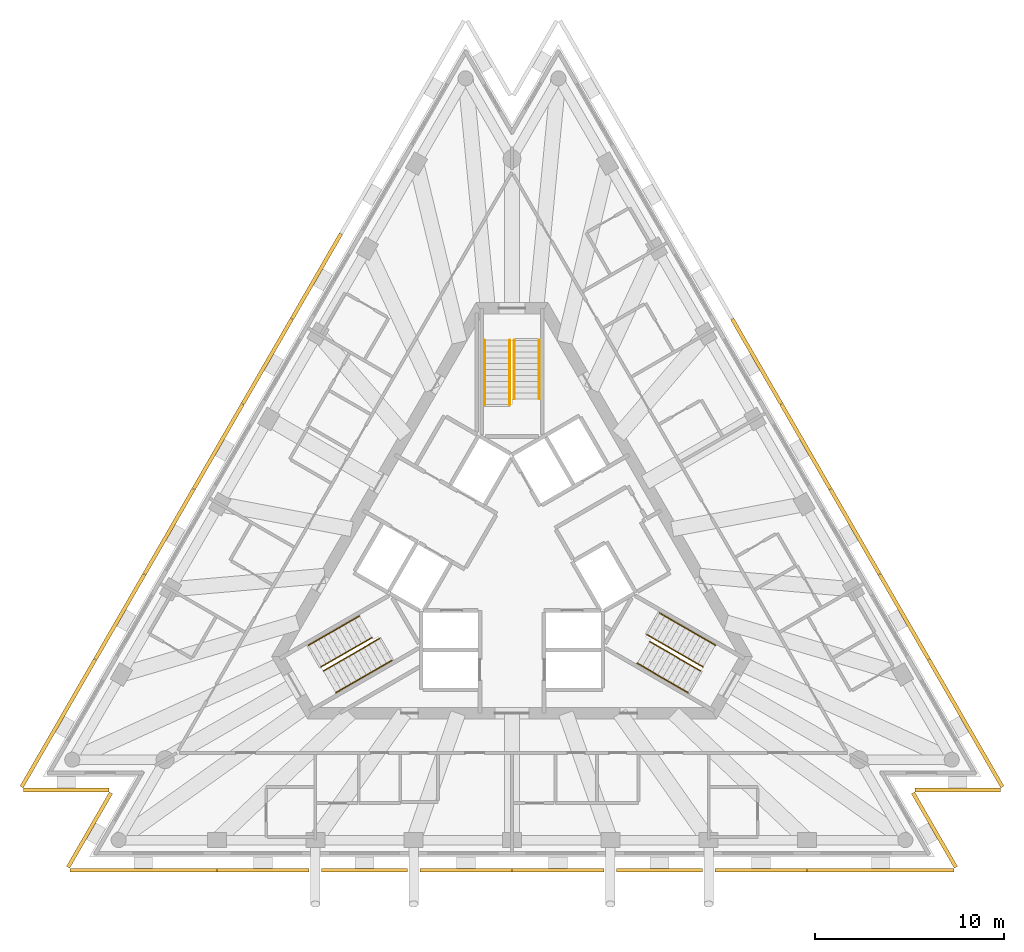
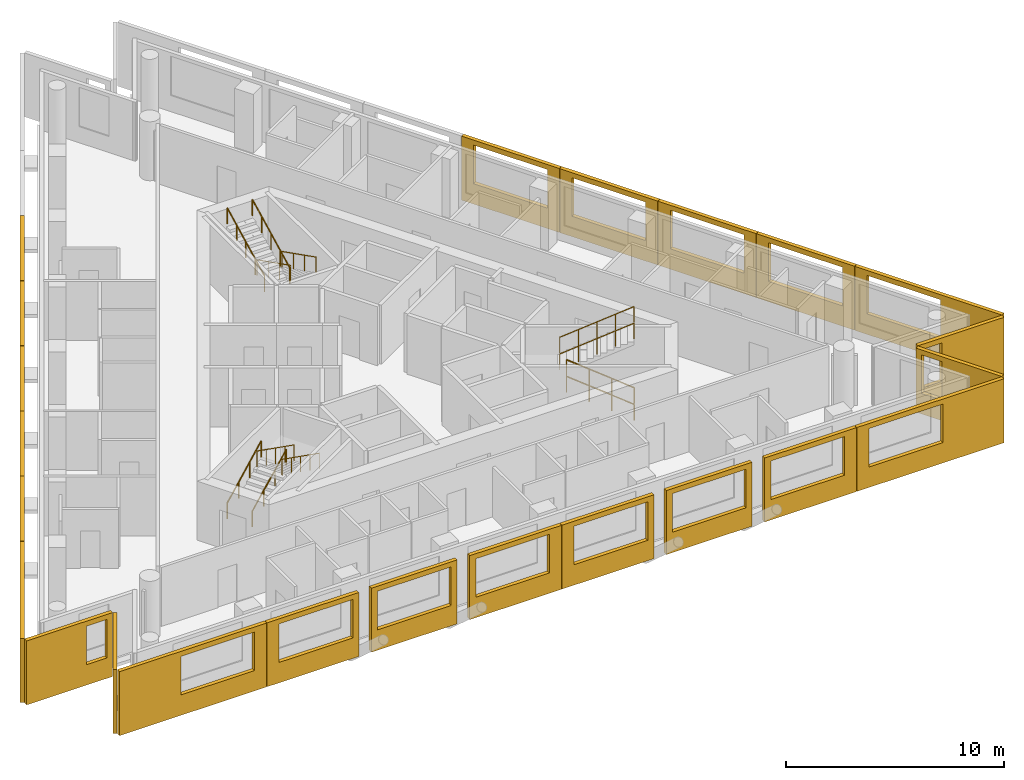
# One storey, part 9 of 10: 23 shading devices, 12 railings, 3 elements without a shape of their own.
"""IFC4 building model written with IfcOpenShell, lengths in metres."""

from ifc_helpers import new_model, si_unit, direction, frame, origin, origin_2d, place, context, subcontext, project, spatial, polyline, circle, outline, extrude, material, layer, layer_set, type_object, element, aggregate, save


model = new_model("IFC4")

# Units and contexts
model_context = context("Model", 3, precision=1e-05, world=origin(), true_north=direction((0.0, 1.0)))
body_context = subcontext(model_context, "Body", "Model", "MODEL_VIEW")
ifc_project = project(units=[si_unit("LENGTHUNIT", "METRE"), si_unit("AREAUNIT", "SQUARE_METRE"), si_unit("VOLUMEUNIT", "CUBIC_METRE"), si_unit("PLANEANGLEUNIT", "RADIAN"), si_unit("MASSUNIT", "GRAM", prefix="KILO")], contexts=[model_context])

# Site, building, storey
site_placement = place(None, origin())
site = spatial("IfcSite", under=ifc_project, at=site_placement, CompositionType="ELEMENT")
building_placement = place(site_placement, origin())
building = spatial("IfcBuilding", under=site, at=building_placement, Name="Triada Interchange Tower", CompositionType="ELEMENT")
storey_placement = place(building_placement, frame((0.0, 0.0, 318.699951171875)))
storey = spatial("IfcBuildingStorey", under=building, at=storey_placement, Name="L76", CompositionType="ELEMENT", Elevation=318.699951171875)

# Shading devices
ifc_material_1 = material(Name="Concrete C50/60 precast", Category="concrete")
ifc_layer_1 = layer(ifc_material_1, 0.02001953125, Name="Exposed aggregate face")
ifc_layer_2 = layer(ifc_material_1, 0.179931640625, Name="Precast concrete screen")
ifc_layer_set = layer_set([ifc_layer_1, ifc_layer_2], Name="Outer skin screen panel 3580")
shading_device_type = type_object("IfcShadingDeviceType", Name="Outer skin screen panel 3580", PredefinedType="SHUTTER", material=ifc_layer_set)
shading_device_1_placement = place(storey_placement, frame((-8.968017578125, 17.19189453125, -0.2900390625), z_axis=(0.0, 0.0, 1.0), x_axis=(-0.500082331196, -0.865977864628, 0.0)))
element("IfcShadingDevice", 1, at=shading_device_1_placement, inside=storey, type_object=shading_device_type, Name="Outer skin screen panel L76 03", PredefinedType="SHUTTER", context=body_context, shape_type="SweptSolid", body=[
    extrude(outline(polyline([(0.0, 0.0), (5.187255859375, 0.0), (5.187255859375, 3.580078125), (0.0, 3.580078125), (0.0, 0.0)]), holes=[polyline([(0.64404296875, 1.139892578125), (0.64404296875, 3.300048828125), (4.5439453125, 3.300048828125), (4.5439453125, 1.139892578125), (0.64404296875, 1.139892578125)])]), frame((0.0, 0.0, 0.0), z_axis=(0.0, -1.0, 0.0), x_axis=(1.0, 0.0, 0.0)), (0.0, 0.0, 1.0), 0.199951171875),
])
shading_device_2_placement = place(storey_placement, frame((-11.572021484375, 12.681884765625, -0.2900390625), z_axis=(0.0, 0.0, 1.0), x_axis=(-0.500082331196, -0.865977864628, 0.0)))
element("IfcShadingDevice", 2, at=shading_device_2_placement, inside=storey, type_object=shading_device_type, Name="Outer skin screen panel L76 04", PredefinedType="SHUTTER", context=body_context, shape_type="SweptSolid", body=[
    extrude(outline(polyline([(0.0, 0.0), (5.187255859375, 0.0), (5.187255859375, 3.580078125), (0.0, 3.580078125), (0.0, 0.0)]), holes=[polyline([(0.643798828125, 1.139892578125), (0.643798828125, 3.300048828125), (4.543701171875, 3.300048828125), (4.543701171875, 1.139892578125), (0.643798828125, 1.139892578125)])]), frame((0.0, 0.0, 0.0), z_axis=(0.0, -1.0, 0.0), x_axis=(1.0, 0.0, 0.0)), (0.0, 0.0, 1.0), 0.199951171875),
])
shading_device_3_placement = place(storey_placement, frame((-14.176025390625, 8.173095703125, -0.2900390625), z_axis=(0.0, 0.0, 1.0), x_axis=(-0.499920746991, -0.866071155695, 0.0)))
element("IfcShadingDevice", 3, at=shading_device_3_placement, inside=storey, type_object=shading_device_type, Name="Outer skin screen panel L76 05", PredefinedType="SHUTTER", context=body_context, shape_type="SweptSolid", body=[
    extrude(outline(polyline([(0.0, 0.0), (5.186767578125, 0.0), (5.186767578125, 3.580078125), (0.0, 3.580078125), (0.0, 0.0)]), holes=[polyline([(0.6435546875, 1.139892578125), (0.6435546875, 3.300048828125), (4.54345703125, 3.300048828125), (4.54345703125, 1.139892578125), (0.6435546875, 1.139892578125)])]), frame((0.0, 0.0, 0.0), z_axis=(0.0, -1.0, 0.0), x_axis=(1.0, 0.0, 0.0)), (0.0, 0.0, 1.0), 0.199951171875),
])
shading_device_4_placement = place(storey_placement, frame((-16.779052734375, 3.6630859375, -0.2900390625), z_axis=(0.0, 0.0, 1.0), x_axis=(-0.500061949227, -0.865989634427, 0.0)))
element("IfcShadingDevice", 4, at=shading_device_4_placement, inside=storey, type_object=shading_device_type, Name="Outer skin screen panel L76 06", PredefinedType="SHUTTER", context=body_context, shape_type="SweptSolid", body=[
    extrude(outline(polyline([(0.0, 0.0), (5.187255859375, 0.0), (5.187255859375, 3.580078125), (0.0, 3.580078125), (0.0, 0.0)]), holes=[polyline([(0.643310546875, 1.139892578125), (0.643310546875, 3.300048828125), (4.543212890625, 3.300048828125), (4.543212890625, 1.139892578125), (0.643310546875, 1.139892578125)])]), frame((0.0, 0.0, 0.0), z_axis=(0.0, -1.0, 0.0), x_axis=(1.0, 0.0, 0.0)), (0.0, 0.0, 1.0), 0.199951171875),
])
shading_device_5_placement = place(storey_placement, frame((-19.383056640625, -0.845947265625, -0.2900390625), z_axis=(0.0, 0.0, 1.0), x_axis=(-0.499980435197, -0.866036699234, 0.0)))
element("IfcShadingDevice", 5, at=shading_device_5_placement, inside=storey, type_object=shading_device_type, Name="Outer skin screen panel L76 07", PredefinedType="SHUTTER", context=body_context, shape_type="SweptSolid", body=[
    extrude(outline(polyline([(0.0, 0.0), (5.188232421875, 0.0), (5.188232421875, 3.580078125), (0.0, 3.580078125), (0.0, 0.0)]), holes=[polyline([(0.643798828125, 1.139892578125), (0.643798828125, 3.300048828125), (4.5439453125, 3.300048828125), (4.5439453125, 1.139892578125), (0.643798828125, 1.139892578125)])]), frame((0.0, 0.0, 0.0), z_axis=(0.0, -1.0, 0.0), x_axis=(1.0, 0.0, 0.0)), (0.0, 0.0, 1.0), 0.199951171875),
])
shading_device_6_placement = place(storey_placement, frame((-21.987060546875, -5.35595703125, -0.2900390625), z_axis=(0.0, 0.0, 1.0), x_axis=(-0.499940544041, -0.866059727977, 0.0)))
element("IfcShadingDevice", 6, at=shading_device_6_placement, inside=storey, type_object=shading_device_type, Name="Outer skin screen panel L76 08", PredefinedType="SHUTTER", context=body_context, shape_type="SweptSolid", body=[
    extrude(outline(polyline([(0.0, 0.0), (7.78466796875, 0.0), (7.78466796875, 3.580078125), (0.0, 3.580078125), (0.0, 0.0)]), holes=[polyline([(0.643798828125, 1.139892578125), (0.643798828125, 3.300048828125), (4.543701171875, 3.300048828125), (4.543701171875, 1.139892578125), (0.643798828125, 1.139892578125)])]), frame((0.0, 0.0, 0.0), z_axis=(0.0, -1.0, 0.0), x_axis=(1.0, 0.0, 0.0)), (0.0, 0.0, 1.0), 0.199951171875),
])
shading_device_7_placement = place(storey_placement, frame((-25.8740234375, -12.10693359375, -0.2900390625), z_axis=(0.0, 0.0, 1.0), x_axis=(1.0, 0.0, 0.0)))
element("IfcShadingDevice", 7, at=shading_device_7_placement, inside=storey, type_object=shading_device_type, Name="Outer skin screen panel L76 09", PredefinedType="SHUTTER", context=body_context, shape_type="SweptSolid", body=[
    extrude(outline(polyline([(0.0, 0.0), (4.547119140625, 0.0), (4.547119140625, 3.580078125), (0.0, 3.580078125), (0.0, 0.0)]), holes=[polyline([(3.175048828125, 1.139892578125), (3.175048828125, 3.300048828125), (4.2470703125, 3.300048828125), (4.2470703125, 1.139892578125), (3.175048828125, 1.139892578125)])]), frame((0.0, 0.0, 0.0), z_axis=(0.0, -1.0, 0.0), x_axis=(1.0, 0.0, 0.0)), (0.0, 0.0, 1.0), 0.199951171875),
])
shading_device_8_placement = place(storey_placement, frame((-21.14794921875, -12.416015625, -0.2900390625), z_axis=(0.0, 0.0, 1.0), x_axis=(-0.500094224052, -0.865970996668, 0.0)))
element("IfcShadingDevice", 8, at=shading_device_8_placement, inside=storey, type_object=shading_device_type, Name="Outer skin screen panel L76 10", PredefinedType="SHUTTER", context=body_context, shape_type="SweptSolid", body=[
    extrude(outline(polyline([(0.0, 0.0), (4.54736328125, 0.0), (4.54736328125, 3.580078125), (0.0, 3.580078125), (0.0, 0.0)]), holes=[polyline([(0.300048828125, 1.139892578125), (0.300048828125, 3.300048828125), (1.258056640625, 3.300048828125), (1.258056640625, 1.139892578125), (0.300048828125, 1.139892578125)])]), frame((0.0, 0.0, 0.0), z_axis=(0.0, -1.0, 0.0), x_axis=(1.0, 0.0, 0.0)), (0.0, 0.0, 1.0), 0.199951171875),
])
shading_device_9_placement = place(storey_placement, frame((-23.4169921875, -16.363037109375, -0.2900390625), z_axis=(0.0, 0.0, 1.0), x_axis=(1.0, 0.0, 0.0)))
element("IfcShadingDevice", 9, at=shading_device_9_placement, inside=storey, type_object=shading_device_type, Name="Outer skin screen panel L76 11", PredefinedType="SHUTTER", context=body_context, shape_type="SweptSolid", body=[
    extrude(outline(polyline([(0.0, 0.0), (7.784912109375, 0.0), (7.784912109375, 3.580078125), (0.0, 3.580078125), (0.0, 0.0)]), holes=[polyline([(3.241943359375, 1.139892578125), (3.241943359375, 3.300048828125), (7.14208984375, 3.300048828125), (7.14208984375, 1.139892578125), (3.241943359375, 1.139892578125)])]), frame((0.0, 0.0, 0.0), z_axis=(0.0, -1.0, 0.0), x_axis=(1.0, 0.0, 0.0)), (0.0, 0.0, 1.0), 0.199951171875),
])
shading_device_10_placement = place(storey_placement, frame((-15.612060546875, -16.363037109375, -0.2900390625), z_axis=(0.0, 0.0, 1.0), x_axis=(1.0, 0.0, 0.0)))
element("IfcShadingDevice", 10, at=shading_device_10_placement, inside=storey, type_object=shading_device_type, Name="Outer skin screen panel L76 12", PredefinedType="SHUTTER", context=body_context, shape_type="SweptSolid", body=[
    extrude(outline(polyline([(0.0, 0.0), (4.864013671875, 0.0), (4.864013671875, 3.580078125), (0.0, 3.580078125), (0.0, 0.0)]), holes=[polyline([(0.643798828125, 1.139892578125), (0.643798828125, 3.300048828125), (4.543701171875, 3.300048828125), (4.543701171875, 1.139892578125), (0.643798828125, 1.139892578125)])]), frame((0.0, 0.0, 0.0), z_axis=(0.0, -1.0, 0.0), x_axis=(1.0, 0.0, 0.0)), (0.0, 0.0, 1.0), 0.199951171875),
])
shading_device_11_placement = place(storey_placement, frame((-10.080078125, -16.363037109375, -0.2900390625), z_axis=(0.0, 0.0, 1.0), x_axis=(1.0, 0.0, 0.0)))
element("IfcShadingDevice", 11, at=shading_device_11_placement, inside=storey, type_object=shading_device_type, Name="Outer skin screen panel L76 13", PredefinedType="SHUTTER", context=body_context, shape_type="SweptSolid", body=[
    extrude(outline(polyline([(0.0, 0.0), (4.5390625, 0.0), (4.5390625, 3.580078125), (0.0, 3.580078125), (0.0, 0.0)]), holes=[polyline([(0.319091796875, 1.139892578125), (0.319091796875, 3.300048828125), (4.218994140625, 3.300048828125), (4.218994140625, 1.139892578125), (0.319091796875, 1.139892578125)])]), frame((0.0, 0.0, 0.0), z_axis=(0.0, -1.0, 0.0), x_axis=(1.0, 0.0, 0.0)), (0.0, 0.0, 1.0), 0.199951171875),
])
shading_device_12_placement = place(storey_placement, frame((-4.873046875, -16.363037109375, -0.2900390625), z_axis=(0.0, 0.0, 1.0), x_axis=(1.0, 0.0, 0.0)))
element("IfcShadingDevice", 12, at=shading_device_12_placement, inside=storey, type_object=shading_device_type, Name="Outer skin screen panel L76 14", PredefinedType="SHUTTER", context=body_context, shape_type="SweptSolid", body=[
    extrude(outline(polyline([(0.0, 0.0), (4.863037109375, 0.0), (4.863037109375, 3.580078125), (0.0, 3.580078125), (0.0, 0.0)]), holes=[polyline([(0.319091796875, 1.139892578125), (0.319091796875, 3.300048828125), (4.218994140625, 3.300048828125), (4.218994140625, 1.139892578125), (0.319091796875, 1.139892578125)])]), frame((0.0, 0.0, 0.0), z_axis=(0.0, -1.0, 0.0), x_axis=(1.0, 0.0, 0.0)), (0.0, 0.0, 1.0), 0.199951171875),
])
shading_device_13_placement = place(storey_placement, frame((0.010009765625, -16.363037109375, -0.2900390625), z_axis=(0.0, 0.0, 1.0), x_axis=(1.0, 0.0, 0.0)))
element("IfcShadingDevice", 13, at=shading_device_13_placement, inside=storey, type_object=shading_device_type, Name="Outer skin screen panel L76 15", PredefinedType="SHUTTER", context=body_context, shape_type="SweptSolid", body=[
    extrude(outline(polyline([(0.0, 0.0), (4.863037109375, 0.0), (4.863037109375, 3.580078125), (0.0, 3.580078125), (0.0, 0.0)]), holes=[polyline([(0.64404296875, 1.139892578125), (0.64404296875, 3.300048828125), (4.5439453125, 3.300048828125), (4.5439453125, 1.139892578125), (0.64404296875, 1.139892578125)])]), frame((0.0, 0.0, 0.0), z_axis=(0.0, -1.0, 0.0), x_axis=(1.0, 0.0, 0.0)), (0.0, 0.0, 1.0), 0.199951171875),
])
shading_device_14_placement = place(storey_placement, frame((5.541015625, -16.363037109375, -0.2900390625), z_axis=(0.0, 0.0, 1.0), x_axis=(1.0, 0.0, 0.0)))
element("IfcShadingDevice", 14, at=shading_device_14_placement, inside=storey, type_object=shading_device_type, Name="Outer skin screen panel L76 16", PredefinedType="SHUTTER", context=body_context, shape_type="SweptSolid", body=[
    extrude(outline(polyline([(0.0, 0.0), (4.5390625, 0.0), (4.5390625, 3.580078125), (0.0, 3.580078125), (0.0, 0.0)]), holes=[polyline([(0.320068359375, 1.139892578125), (0.320068359375, 3.300048828125), (4.219970703125, 3.300048828125), (4.219970703125, 1.139892578125), (0.320068359375, 1.139892578125)])]), frame((0.0, 0.0, 0.0), z_axis=(0.0, -1.0, 0.0), x_axis=(1.0, 0.0, 0.0)), (0.0, 0.0, 1.0), 0.199951171875),
])
shading_device_15_placement = place(storey_placement, frame((10.748046875, -16.363037109375, -0.2900390625), z_axis=(0.0, 0.0, 1.0), x_axis=(1.0, 0.0, 0.0)))
element("IfcShadingDevice", 15, at=shading_device_15_placement, inside=storey, type_object=shading_device_type, Name="Outer skin screen panel L76 17", PredefinedType="SHUTTER", context=body_context, shape_type="SweptSolid", body=[
    extrude(outline(polyline([(0.0, 0.0), (4.864013671875, 0.0), (4.864013671875, 3.580078125), (0.0, 3.580078125), (0.0, 0.0)]), holes=[polyline([(0.320068359375, 1.139892578125), (0.320068359375, 3.300048828125), (4.219970703125, 3.300048828125), (4.219970703125, 1.139892578125), (0.320068359375, 1.139892578125)])]), frame((0.0, 0.0, 0.0), z_axis=(0.0, -1.0, 0.0), x_axis=(1.0, 0.0, 0.0)), (0.0, 0.0, 1.0), 0.199951171875),
])
shading_device_16_placement = place(storey_placement, frame((15.632080078125, -16.363037109375, -0.2900390625), z_axis=(0.0, 0.0, 1.0), x_axis=(1.0, 0.0, 0.0)))
element("IfcShadingDevice", 16, at=shading_device_16_placement, inside=storey, type_object=shading_device_type, Name="Outer skin screen panel L76 18", PredefinedType="SHUTTER", context=body_context, shape_type="SweptSolid", body=[
    extrude(outline(polyline([(0.0, 0.0), (7.784912109375, 0.0), (7.784912109375, 3.580078125), (0.0, 3.580078125), (0.0, 0.0)]), holes=[polyline([(0.643310546875, 1.139892578125), (0.643310546875, 3.300048828125), (4.543212890625, 3.300048828125), (4.543212890625, 1.139892578125), (0.643310546875, 1.139892578125)])]), frame((0.0, 0.0, 0.0), z_axis=(0.0, -1.0, 0.0), x_axis=(1.0, 0.0, 0.0)), (0.0, 0.0, 1.0), 0.199951171875),
])
shading_device_17_placement = place(storey_placement, frame((23.422119140625, -16.35400390625, -0.2900390625), z_axis=(0.0, 0.0, 1.0), x_axis=(-0.500094224052, 0.865970996668, 0.0)))
element("IfcShadingDevice", 17, at=shading_device_17_placement, inside=storey, type_object=shading_device_type, Name="Outer skin screen panel L76 19", PredefinedType="SHUTTER", context=body_context, shape_type="SweptSolid", body=[
    extrude(outline(polyline([(0.0, 0.0), (4.54736328125, 0.0), (4.54736328125, 3.580078125), (0.0, 3.580078125), (0.0, 0.0)]), holes=[polyline([(3.17529296875, 1.139892578125), (3.17529296875, 3.300048828125), (4.24755859375, 3.300048828125), (4.24755859375, 1.139892578125), (3.17529296875, 1.139892578125)])]), frame((0.0, 0.0, 0.0), z_axis=(0.0, -1.0, 0.0), x_axis=(1.0, 0.0, 0.0)), (0.0, 0.0, 1.0), 0.199951171875),
])
shading_device_18_placement = place(storey_placement, frame((21.326904296875, -12.10693359375, -0.2900390625), z_axis=(0.0, 0.0, 1.0), x_axis=(1.0, 0.0, 0.0)))
element("IfcShadingDevice", 18, at=shading_device_18_placement, inside=storey, type_object=shading_device_type, Name="Outer skin screen panel L76 20", PredefinedType="SHUTTER", context=body_context, shape_type="SweptSolid", body=[
    extrude(outline(polyline([(0.0, 0.0), (4.547119140625, 0.0), (4.547119140625, 3.580078125), (0.0, 3.580078125), (0.0, 0.0)]), holes=[polyline([(0.300048828125, 1.139892578125), (0.300048828125, 3.300048828125), (1.258056640625, 3.300048828125), (1.258056640625, 1.139892578125), (0.300048828125, 1.139892578125)])]), frame((0.0, 0.0, 0.0), z_axis=(0.0, -1.0, 0.0), x_axis=(1.0, 0.0, 0.0)), (0.0, 0.0, 1.0), 0.199951171875),
])
shading_device_19_placement = place(storey_placement, frame((25.87890625, -12.097900390625, -0.2900390625), z_axis=(0.0, 0.0, 1.0), x_axis=(-0.499940544041, 0.866059727977, 0.0)))
element("IfcShadingDevice", 19, at=shading_device_19_placement, inside=storey, type_object=shading_device_type, Name="Outer skin screen panel L76 21", PredefinedType="SHUTTER", context=body_context, shape_type="SweptSolid", body=[
    extrude(outline(polyline([(0.0, 0.0), (7.78466796875, 0.0), (7.78466796875, 3.580078125), (0.0, 3.580078125), (0.0, 0.0)]), holes=[polyline([(3.2412109375, 1.139892578125), (3.2412109375, 3.300048828125), (7.141357421875, 3.300048828125), (7.141357421875, 1.139892578125), (3.2412109375, 1.139892578125)])]), frame((0.0, 0.0, 0.0), z_axis=(0.0, -1.0, 0.0), x_axis=(1.0, 0.0, 0.0)), (0.0, 0.0, 1.0), 0.199951171875),
])
shading_device_20_placement = place(storey_placement, frame((21.97705078125, -5.339111328125, -0.2900390625), z_axis=(0.0, 0.0, 1.0), x_axis=(-0.499980435197, 0.866036699234, 0.0)))
element("IfcShadingDevice", 20, at=shading_device_20_placement, inside=storey, type_object=shading_device_type, Name="Outer skin screen panel L76 22", PredefinedType="SHUTTER", context=body_context, shape_type="SweptSolid", body=[
    extrude(outline(polyline([(0.0, 0.0), (5.188232421875, 0.0), (5.188232421875, 3.580078125), (0.0, 3.580078125), (0.0, 0.0)]), holes=[polyline([(0.64404296875, 1.139892578125), (0.64404296875, 3.300048828125), (4.5439453125, 3.300048828125), (4.5439453125, 1.139892578125), (0.64404296875, 1.139892578125)])]), frame((0.0, 0.0, 0.0), z_axis=(0.0, -1.0, 0.0), x_axis=(1.0, 0.0, 0.0)), (0.0, 0.0, 1.0), 0.199951171875),
])
shading_device_21_placement = place(storey_placement, frame((19.373046875, -0.8291015625, -0.2900390625), z_axis=(0.0, 0.0, 1.0), x_axis=(-0.500061949227, 0.865989634427, 0.0)))
element("IfcShadingDevice", 21, at=shading_device_21_placement, inside=storey, type_object=shading_device_type, Name="Outer skin screen panel L76 23", PredefinedType="SHUTTER", context=body_context, shape_type="SweptSolid", body=[
    extrude(outline(polyline([(0.0, 0.0), (5.187255859375, 0.0), (5.187255859375, 3.580078125), (0.0, 3.580078125), (0.0, 0.0)]), holes=[polyline([(0.643798828125, 1.139892578125), (0.643798828125, 3.300048828125), (4.543701171875, 3.300048828125), (4.543701171875, 1.139892578125), (0.643798828125, 1.139892578125)])]), frame((0.0, 0.0, 0.0), z_axis=(0.0, -1.0, 0.0), x_axis=(1.0, 0.0, 0.0)), (0.0, 0.0, 1.0), 0.199951171875),
])
shading_device_22_placement = place(storey_placement, frame((16.76904296875, 3.680908203125, -0.2900390625), z_axis=(0.0, 0.0, 1.0), x_axis=(-0.499920746991, 0.866071155695, 0.0)))
element("IfcShadingDevice", 22, at=shading_device_22_placement, inside=storey, type_object=shading_device_type, Name="Outer skin screen panel L76 24", PredefinedType="SHUTTER", context=body_context, shape_type="SweptSolid", body=[
    extrude(outline(polyline([(0.0, 0.0), (5.186767578125, 0.0), (5.186767578125, 3.580078125), (0.0, 3.580078125), (0.0, 0.0)]), holes=[polyline([(0.643310546875, 1.139892578125), (0.643310546875, 3.300048828125), (4.54345703125, 3.300048828125), (4.54345703125, 1.139892578125), (0.643310546875, 1.139892578125)])]), frame((0.0, 0.0, 0.0), z_axis=(0.0, -1.0, 0.0), x_axis=(1.0, 0.0, 0.0)), (0.0, 0.0, 1.0), 0.199951171875),
])
shading_device_23_placement = place(storey_placement, frame((14.166015625, 8.18994140625, -0.2900390625), z_axis=(0.0, 0.0, 1.0), x_axis=(-0.500082331196, 0.865977864628, 0.0)))
element("IfcShadingDevice", 23, at=shading_device_23_placement, inside=storey, type_object=shading_device_type, Name="Outer skin screen panel L76 25", PredefinedType="SHUTTER", context=body_context, shape_type="SweptSolid", body=[
    extrude(outline(polyline([(0.0, 0.0), (5.187255859375, 0.0), (5.187255859375, 3.580078125), (0.0, 3.580078125), (0.0, 0.0)]), holes=[polyline([(0.643310546875, 1.139892578125), (0.643310546875, 3.300048828125), (4.543212890625, 3.300048828125), (4.543212890625, 1.139892578125), (0.643310546875, 1.139892578125)])]), frame((0.0, 0.0, 0.0), z_axis=(0.0, -1.0, 0.0), x_axis=(1.0, 0.0, 0.0)), (0.0, 0.0, 1.0), 0.199951171875),
])

# Stair, railings
ifc_material_2 = material(Name="Concrete C35/45", Category="concrete")
stair_type = type_object("IfcStairType", Name="HALF TURN STAIR 1400", PredefinedType="HALF_TURN_STAIR", material=ifc_material_2)
stair_1_placement = place(storey_placement, origin())
stair_1 = element("IfcStair", 24, at=stair_1_placement, inside=storey, type_object=stair_type, Name="Exit stair S74-1", PredefinedType="HALF_TURN_STAIR")
ifc_material_3 = material(Name="Stainless steel 1.4301", Category="steel")
railing_type = type_object("IfcRailingType", Name="STAIR HANDRAIL 900", PredefinedType="HANDRAIL", material=ifc_material_3)
railing_1_placement = place(storey_placement, frame((1.449951171875, 11.60009765625, 0.156494140625)))
railing_1 = element("IfcRailing", 25, at=railing_1_placement, type_object=railing_type, Name="Handrail S74-1 1W", PredefinedType="HANDRAIL", context=body_context, shape_type="SweptSolid", body=[
    extrude(circle(Radius=0.02392578125, at=origin_2d()), frame((0.0, 0.0, 0.8759765625), z_axis=(0.0, -0.89267693942, 0.450697106522), x_axis=(1.0, 0.0, 0.0)), (0.0, 0.0, 1.0), 3.472900390625),
    extrude(circle(Radius=0.02099609375, at=origin_2d()), origin(), (0.0, 0.0, 1.0), 0.851806640625),
    extrude(circle(Radius=0.02099609375, at=origin_2d()), frame((0.0, -1.033447265625, 0.521728515625)), (0.0, 0.0, 1.0), 0.851806640625),
    extrude(circle(Radius=0.02099609375, at=origin_2d()), frame((0.0, -2.066650390625, 1.04345703125)), (0.0, 0.0, 1.0), 0.851806640625),
    extrude(circle(Radius=0.02099609375, at=origin_2d()), frame((0.0, -3.10009765625, 1.565185546875)), (0.0, 0.0, 1.0), 0.851806640625),
])
railing_2_placement = place(storey_placement, frame((0.1201171875, 11.60009765625, 0.156494140625)))
railing_2 = element("IfcRailing", 26, at=railing_2_placement, type_object=railing_type, Name="Handrail S74-1 1C", PredefinedType="HANDRAIL", context=body_context, shape_type="SweptSolid", body=[
    extrude(circle(Radius=0.02392578125, at=origin_2d()), frame((0.0, 0.0, 0.8759765625), z_axis=(0.0, -0.89267693942, 0.450697106522), x_axis=(1.0, 0.0, 0.0)), (0.0, 0.0, 1.0), 3.472900390625),
    extrude(circle(Radius=0.02099609375, at=origin_2d()), origin(), (0.0, 0.0, 1.0), 0.851806640625),
    extrude(circle(Radius=0.02099609375, at=origin_2d()), frame((0.0, -1.033447265625, 0.521728515625)), (0.0, 0.0, 1.0), 0.851806640625),
    extrude(circle(Radius=0.02099609375, at=origin_2d()), frame((0.0, -2.066650390625, 1.04345703125)), (0.0, 0.0, 1.0), 0.851806640625),
    extrude(circle(Radius=0.02099609375, at=origin_2d()), frame((0.0, -3.10009765625, 1.565185546875)), (0.0, 0.0, 1.0), 0.851806640625),
])
railing_3_placement = place(storey_placement, frame((-1.449951171875, 8.18994140625, 1.878173828125)))
railing_3 = element("IfcRailing", 27, at=railing_3_placement, type_object=railing_type, Name="Handrail S74-1 2W", PredefinedType="HANDRAIL", context=body_context, shape_type="SweptSolid", body=[
    extrude(circle(Radius=0.02392578125, at=origin_2d()), frame((0.0, 0.0, 0.8759765625), z_axis=(0.0, 0.892682106939, 0.450686871287), x_axis=(-1.0, 0.0, 0.0)), (0.0, 0.0, 1.0), 3.820068359375),
    extrude(circle(Radius=0.02099609375, at=origin_2d()), origin(), (0.0, 0.0, 1.0), 0.851806640625),
    extrude(circle(Radius=0.02099609375, at=origin_2d()), frame((0.0, 0.8525390625, 0.430419921875)), (0.0, 0.0, 1.0), 0.851806640625),
    extrude(circle(Radius=0.02099609375, at=origin_2d()), frame((0.0, 1.705078125, 0.86083984375)), (0.0, 0.0, 1.0), 0.851806640625),
    extrude(circle(Radius=0.02099609375, at=origin_2d()), frame((0.0, 2.5576171875, 1.291259765625)), (0.0, 0.0, 1.0), 0.851806640625),
    extrude(circle(Radius=0.02099609375, at=origin_2d()), frame((0.0, 3.41015625, 1.7216796875)), (0.0, 0.0, 1.0), 0.851806640625),
])
railing_4_placement = place(storey_placement, frame((-0.1201171875, 8.18994140625, 1.878173828125)))
railing_4 = element("IfcRailing", 28, at=railing_4_placement, type_object=railing_type, Name="Handrail S74-1 2C", PredefinedType="HANDRAIL", context=body_context, shape_type="SweptSolid", body=[
    extrude(circle(Radius=0.02392578125, at=origin_2d()), frame((0.0, 0.0, 0.8759765625), z_axis=(0.0, 0.892682106939, 0.450686871287), x_axis=(-1.0, 0.0, 0.0)), (0.0, 0.0, 1.0), 3.820068359375),
    extrude(circle(Radius=0.02099609375, at=origin_2d()), origin(), (0.0, 0.0, 1.0), 0.851806640625),
    extrude(circle(Radius=0.02099609375, at=origin_2d()), frame((0.0, 0.8525390625, 0.430419921875)), (0.0, 0.0, 1.0), 0.851806640625),
    extrude(circle(Radius=0.02099609375, at=origin_2d()), frame((0.0, 1.705078125, 0.86083984375)), (0.0, 0.0, 1.0), 0.851806640625),
    extrude(circle(Radius=0.02099609375, at=origin_2d()), frame((0.0, 2.5576171875, 1.291259765625)), (0.0, 0.0, 1.0), 0.851806640625),
    extrude(circle(Radius=0.02099609375, at=origin_2d()), frame((0.0, 3.41015625, 1.7216796875)), (0.0, 0.0, 1.0), 0.851806640625),
])
aggregate(stair_1, [railing_1, railing_2, railing_3, railing_4])

stair_2_placement = place(storey_placement, origin())
stair_2 = element("IfcStair", 29, at=stair_2_placement, inside=storey, type_object=stair_type, Name="Exit stair S74-2", PredefinedType="HALF_TURN_STAIR")
railing_5_placement = place(storey_placement, frame((-10.77099609375, -4.5439453125, 0.156494140625)))
railing_5 = element("IfcRailing", 30, at=railing_5_placement, type_object=railing_type, Name="Handrail S74-2 1W", PredefinedType="HANDRAIL", context=body_context, shape_type="SweptSolid", body=[
    extrude(circle(Radius=0.02392578125, at=origin_2d()), frame((0.0, 0.0, 0.8759765625), z_axis=(0.773115112249, 0.446309133267, 0.4506674836), x_axis=(-0.499958760481, 0.866049212123, 0.0)), (0.0, 0.0, 1.0), 3.47314453125),
    extrude(circle(Radius=0.02099609375, at=origin_2d()), origin(), (0.0, 0.0, 1.0), 0.851806640625),
    extrude(circle(Radius=0.02099609375, at=origin_2d()), frame((0.89501953125, 0.5166015625, 0.521728515625)), (0.0, 0.0, 1.0), 0.851806640625),
    extrude(circle(Radius=0.02099609375, at=origin_2d()), frame((1.7900390625, 1.033447265625, 1.04345703125)), (0.0, 0.0, 1.0), 0.851806640625),
    extrude(circle(Radius=0.02099609375, at=origin_2d()), frame((2.68505859375, 1.550048828125, 1.565185546875)), (0.0, 0.0, 1.0), 0.851806640625),
])
railing_6_placement = place(storey_placement, frame((-10.10595703125, -5.696044921875, 0.156494140625)))
railing_6 = element("IfcRailing", 31, at=railing_6_placement, type_object=railing_type, Name="Handrail S74-2 1C", PredefinedType="HANDRAIL", context=body_context, shape_type="SweptSolid", body=[
    extrude(circle(Radius=0.02392578125, at=origin_2d()), frame((0.0, 0.0, 0.8759765625), z_axis=(0.773115112249, 0.446309133267, 0.4506674836), x_axis=(-0.499958760481, 0.866049212123, 0.0)), (0.0, 0.0, 1.0), 3.47314453125),
    extrude(circle(Radius=0.02099609375, at=origin_2d()), origin(), (0.0, 0.0, 1.0), 0.851806640625),
    extrude(circle(Radius=0.02099609375, at=origin_2d()), frame((0.89501953125, 0.5166015625, 0.521728515625)), (0.0, 0.0, 1.0), 0.851806640625),
    extrude(circle(Radius=0.02099609375, at=origin_2d()), frame((1.7900390625, 1.033447265625, 1.04345703125)), (0.0, 0.0, 1.0), 0.851806640625),
    extrude(circle(Radius=0.02099609375, at=origin_2d()), frame((2.68505859375, 1.550048828125, 1.565185546875)), (0.0, 0.0, 1.0), 0.851806640625),
])
railing_7_placement = place(storey_placement, frame((-6.367919921875, -5.35107421875, 1.878173828125)))
railing_7 = element("IfcRailing", 32, at=railing_7_placement, type_object=railing_type, Name="Handrail S74-2 2W", PredefinedType="HANDRAIL", context=body_context, shape_type="SweptSolid", body=[
    extrude(circle(Radius=0.02392578125, at=origin_2d()), frame((0.0, 0.0, 0.8759765625), z_axis=(-0.773090904651, -0.446304049866, 0.450714042625), x_axis=(0.499966231165, -0.866044899352, 0.0)), (0.0, 0.0, 1.0), 3.81982421875),
    extrude(circle(Radius=0.02099609375, at=origin_2d()), origin(), (0.0, 0.0, 1.0), 0.851806640625),
    extrude(circle(Radius=0.02099609375, at=origin_2d()), frame((-0.73828125, -0.42626953125, 0.430419921875)), (0.0, 0.0, 1.0), 0.851806640625),
    extrude(circle(Radius=0.02099609375, at=origin_2d()), frame((-1.4765625, -0.8525390625, 0.86083984375)), (0.0, 0.0, 1.0), 0.851806640625),
    extrude(circle(Radius=0.02099609375, at=origin_2d()), frame((-2.21484375, -1.278564453125, 1.291259765625)), (0.0, 0.0, 1.0), 0.851806640625),
    extrude(circle(Radius=0.02099609375, at=origin_2d()), frame((-2.953125, -1.704833984375, 1.7216796875)), (0.0, 0.0, 1.0), 0.851806640625),
])
railing_8_placement = place(storey_placement, frame((-7.032958984375, -4.198974609375, 1.878173828125)))
railing_8 = element("IfcRailing", 33, at=railing_8_placement, type_object=railing_type, Name="Handrail S74-2 2C", PredefinedType="HANDRAIL", context=body_context, shape_type="SweptSolid", body=[
    extrude(circle(Radius=0.02392578125, at=origin_2d()), frame((0.0, 0.0, 0.8759765625), z_axis=(-0.773068851904, -0.446355229968, 0.450701185816), x_axis=(0.50001992892, -0.866013897511, 0.0)), (0.0, 0.0, 1.0), 3.820068359375),
    extrude(circle(Radius=0.02099609375, at=origin_2d()), origin(), (0.0, 0.0, 1.0), 0.851806640625),
    extrude(circle(Radius=0.02099609375, at=origin_2d()), frame((-0.73828125, -0.42626953125, 0.430419921875)), (0.0, 0.0, 1.0), 0.851806640625),
    extrude(circle(Radius=0.02099609375, at=origin_2d()), frame((-1.4765625, -0.8525390625, 0.86083984375)), (0.0, 0.0, 1.0), 0.851806640625),
    extrude(circle(Radius=0.02099609375, at=origin_2d()), frame((-2.21484375, -1.27880859375, 1.291259765625)), (0.0, 0.0, 1.0), 0.851806640625),
    extrude(circle(Radius=0.02099609375, at=origin_2d()), frame((-2.953125, -1.705078125, 1.7216796875)), (0.0, 0.0, 1.0), 0.851806640625),
])
aggregate(stair_2, [railing_5, railing_6, railing_7, railing_8])

stair_3_placement = place(storey_placement, origin())
stair_3 = element("IfcStair", 34, at=stair_3_placement, inside=storey, type_object=stair_type, Name="Exit stair S74-3", PredefinedType="HALF_TURN_STAIR")
railing_9_placement = place(storey_placement, frame((9.321044921875, -7.055908203125, 0.156494140625)))
railing_9 = element("IfcRailing", 35, at=railing_9_placement, type_object=railing_type, Name="Handrail S74-3 1W", PredefinedType="HANDRAIL", context=body_context, shape_type="SweptSolid", body=[
    extrude(circle(Radius=0.02392578125, at=origin_2d()), frame((0.0, 0.0, 0.8759765625), z_axis=(-0.773139366989, 0.446252837029, 0.450681622274), x_axis=(-0.499899694197, -0.866083307622, 0.0)), (0.0, 0.0, 1.0), 3.472900390625),
    extrude(circle(Radius=0.02099609375, at=origin_2d()), origin(), (0.0, 0.0, 1.0), 0.851806640625),
    extrude(circle(Radius=0.02099609375, at=origin_2d()), frame((-0.89501953125, 0.5166015625, 0.521728515625)), (0.0, 0.0, 1.0), 0.851806640625),
    extrude(circle(Radius=0.02099609375, at=origin_2d()), frame((-1.7900390625, 1.033203125, 1.04345703125)), (0.0, 0.0, 1.0), 0.851806640625),
    extrude(circle(Radius=0.02099609375, at=origin_2d()), frame((-2.68505859375, 1.5498046875, 1.565185546875)), (0.0, 0.0, 1.0), 0.851806640625),
])
railing_10_placement = place(storey_placement, frame((9.986083984375, -5.904052734375, 0.156494140625)))
railing_10 = element("IfcRailing", 36, at=railing_10_placement, type_object=railing_type, Name="Handrail S74-3 1C", PredefinedType="HANDRAIL", context=body_context, shape_type="SweptSolid", body=[
    extrude(circle(Radius=0.02392578125, at=origin_2d()), frame((0.0, 0.0, 0.8759765625), z_axis=(-0.773115112249, 0.446309133267, 0.4506674836), x_axis=(-0.499958760481, -0.866049212123, 0.0)), (0.0, 0.0, 1.0), 3.47314453125),
    extrude(circle(Radius=0.02099609375, at=origin_2d()), origin(), (0.0, 0.0, 1.0), 0.851806640625),
    extrude(circle(Radius=0.02099609375, at=origin_2d()), frame((-0.89501953125, 0.5166015625, 0.521728515625)), (0.0, 0.0, 1.0), 0.851806640625),
    extrude(circle(Radius=0.02099609375, at=origin_2d()), frame((-1.7900390625, 1.033447265625, 1.04345703125)), (0.0, 0.0, 1.0), 0.851806640625),
    extrude(circle(Radius=0.02099609375, at=origin_2d()), frame((-2.68505859375, 1.550048828125, 1.565185546875)), (0.0, 0.0, 1.0), 0.851806640625),
])
railing_11_placement = place(storey_placement, frame((7.818115234375, -2.839111328125, 1.878173828125)))
railing_11 = element("IfcRailing", 37, at=railing_11_placement, type_object=railing_type, Name="Handrail S74-3 2W", PredefinedType="HANDRAIL", context=body_context, shape_type="SweptSolid", body=[
    extrude(circle(Radius=0.02392578125, at=origin_2d()), frame((0.0, 0.0, 0.8759765625), z_axis=(0.773065188623, -0.4463261027, 0.450736313367), x_axis=(0.499997234054, 0.866027000698, 0.0)), (0.0, 0.0, 1.0), 3.81982421875),
    extrude(circle(Radius=0.02099609375, at=origin_2d()), origin(), (0.0, 0.0, 1.0), 0.851806640625),
    extrude(circle(Radius=0.02099609375, at=origin_2d()), frame((0.73828125, -0.42626953125, 0.430419921875)), (0.0, 0.0, 1.0), 0.851806640625),
    extrude(circle(Radius=0.02099609375, at=origin_2d()), frame((1.4765625, -0.8525390625, 0.86083984375)), (0.0, 0.0, 1.0), 0.851806640625),
    extrude(circle(Radius=0.02099609375, at=origin_2d()), frame((2.214599609375, -1.278564453125, 1.291259765625)), (0.0, 0.0, 1.0), 0.851806640625),
    extrude(circle(Radius=0.02099609375, at=origin_2d()), frame((2.952880859375, -1.704833984375, 1.7216796875)), (0.0, 0.0, 1.0), 0.851806640625),
])
railing_12_placement = place(storey_placement, frame((7.153076171875, -3.990966796875, 1.878173828125)))
railing_12 = element("IfcRailing", 38, at=railing_12_placement, type_object=railing_type, Name="Handrail S74-3 2C", PredefinedType="HANDRAIL", context=body_context, shape_type="SweptSolid", body=[
    extrude(circle(Radius=0.02392578125, at=origin_2d()), frame((0.0, 0.0, 0.8759765625), z_axis=(0.773043134431, -0.446377284073, 0.450723454651), x_axis=(0.500050932918, 0.865995995653, 0.0)), (0.0, 0.0, 1.0), 3.81982421875),
    extrude(circle(Radius=0.02099609375, at=origin_2d()), origin(), (0.0, 0.0, 1.0), 0.851806640625),
    extrude(circle(Radius=0.02099609375, at=origin_2d()), frame((0.73828125, -0.42626953125, 0.430419921875)), (0.0, 0.0, 1.0), 0.851806640625),
    extrude(circle(Radius=0.02099609375, at=origin_2d()), frame((1.4765625, -0.8525390625, 0.86083984375)), (0.0, 0.0, 1.0), 0.851806640625),
    extrude(circle(Radius=0.02099609375, at=origin_2d()), frame((2.214599609375, -1.27880859375, 1.291259765625)), (0.0, 0.0, 1.0), 0.851806640625),
    extrude(circle(Radius=0.02099609375, at=origin_2d()), frame((2.952880859375, -1.705078125, 1.7216796875)), (0.0, 0.0, 1.0), 0.851806640625),
])
aggregate(stair_3, [railing_9, railing_10, railing_11, railing_12])

save(model, "model.ifc")
